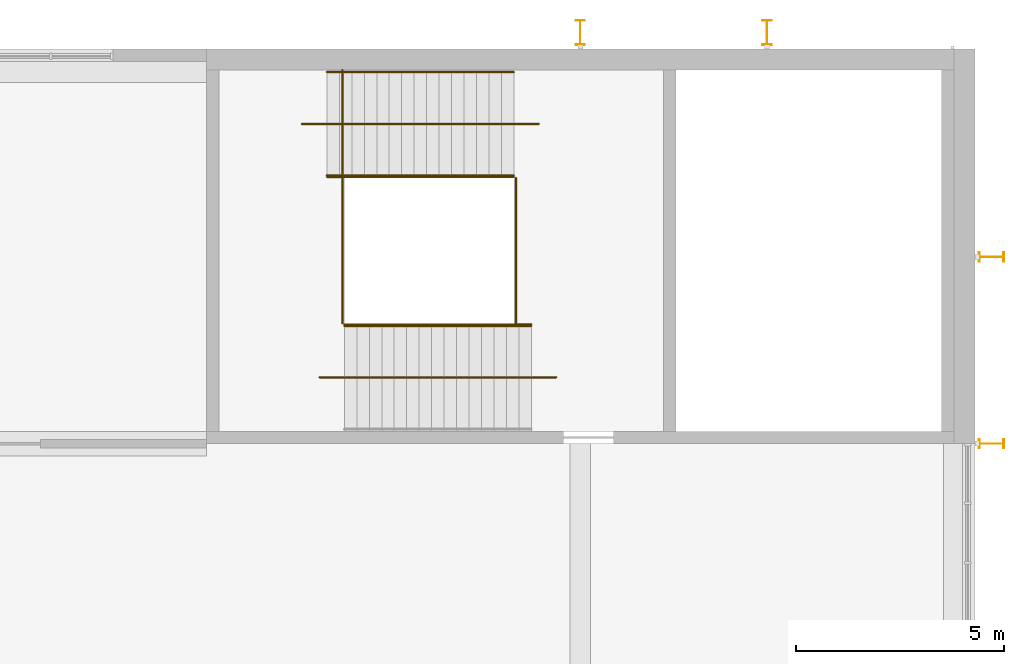
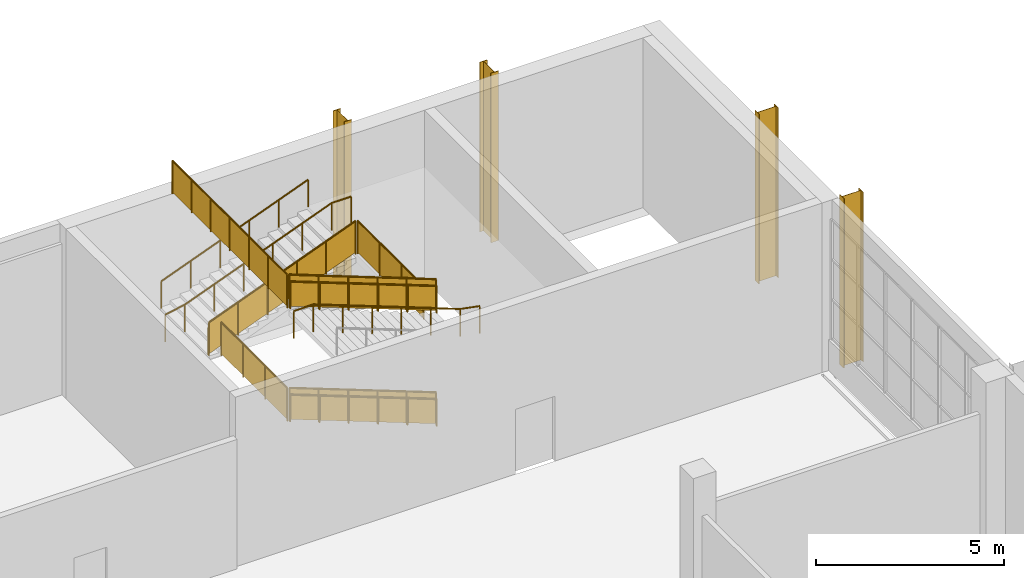
# One storey, part 83 of 84: 12 railings, 4 shading devices.
"""IFC4 building model written with IfcOpenShell, lengths in metres."""

from ifc_helpers import new_model, si_unit, direction, frame, origin, origin_2d, place, context, subcontext, project, spatial, polyline, circle, i_section, outline, extrude, material, material_profile, profile_set, type_object, element, save


model = new_model("IFC4")

# Units and contexts
model_context = context("Model", 3, precision=1e-05, world=origin(), true_north=direction((0.0, 1.0)))
body_context = subcontext(model_context, "Body", "Model", "MODEL_VIEW")
ifc_project = project(units=[si_unit("LENGTHUNIT", "METRE"), si_unit("AREAUNIT", "SQUARE_METRE"), si_unit("VOLUMEUNIT", "CUBIC_METRE"), si_unit("PLANEANGLEUNIT", "RADIAN"), si_unit("MASSUNIT", "GRAM", prefix="KILO")], contexts=[model_context])

# Site, building, storey
site_placement = place(None, origin())
site = spatial("IfcSite", under=ifc_project, at=site_placement, CompositionType="ELEMENT")
building_placement = place(site_placement, origin())
building = spatial("IfcBuilding", under=site, at=building_placement, Name="Silverbay Arena", CompositionType="ELEMENT")
storey_placement = place(building_placement, frame((0.0, 0.0, 28.0)))
storey = spatial("IfcBuildingStorey", under=building, at=storey_placement, Name="L04", CompositionType="ELEMENT", Elevation=28.0)

# Railings
ifc_material_1 = material(Name="Stainless steel", Category="steel")
railing_type_1 = type_object("IfcRailingType", Name="Stair guard 1100", PredefinedType="GUARDRAIL", material=ifc_material_1)
railing_1_placement = place(storey_placement, frame((196.8203125, 137.875, 0.114501953125)))
element("IfcRailing", 1, at=railing_1_placement, inside=storey, type_object=railing_type_1, Name="Stair ST-N6 L04 to L05 flight 1 guard right", PredefinedType="GUARDRAIL", context=body_context, shape_type="SweptSolid", body=[
    extrude(circle(Radius=0.02392578125, at=origin_2d()), frame((0.0, 0.0, 1.076171875), z_axis=(-0.93417907455, 0.0, 0.356804507641), x_axis=(0.0, -1.0, 0.0)), (0.0, 0.0, 1.0), 4.817138671875),
    extrude(outline(polyline([(-0.008056640625, 0.046875), (0.907958984375, 0.396728515625), (0.907958984375, 1.39990234375), (-0.008056640625, 1.050048828125), (-0.008056640625, 0.046875)])), frame((0.0, -0.0029296875, 0.0), z_axis=(0.0, 1.0, 0.0), x_axis=(-1.0, 0.0, 0.0)), (0.0, 0.0, 1.0), 0.006103515625),
    extrude(outline(polyline([(-0.008056640625, 0.390625), (0.907958984375, 0.740478515625), (0.907958984375, 1.74365234375), (-0.008056640625, 1.393798828125), (-0.008056640625, 0.390625)])), frame((-0.89990234375, -0.0029296875, 0.0), z_axis=(0.0, 1.0, 0.0), x_axis=(-1.0, 0.0, 0.0)), (0.0, 0.0, 1.0), 0.006103515625),
    extrude(outline(polyline([(-0.008056640625, 0.734375), (0.907958984375, 1.084228515625), (0.907958984375, 2.08740234375), (-0.008056640625, 1.737548828125), (-0.008056640625, 0.734375)])), frame((-1.800048828125, -0.0029296875, 0.0), z_axis=(0.0, 1.0, 0.0), x_axis=(-1.0, 0.0, 0.0)), (0.0, 0.0, 1.0), 0.006103515625),
    extrude(outline(polyline([(-0.008056640625, 1.078125), (0.907958984375, 1.427978515625), (0.907958984375, 2.43115234375), (-0.008056640625, 2.081298828125), (-0.008056640625, 1.078125)])), frame((-2.699951171875, -0.0029296875, 0.0), z_axis=(0.0, 1.0, 0.0), x_axis=(-1.0, 0.0, 0.0)), (0.0, 0.0, 1.0), 0.006103515625),
    extrude(outline(polyline([(-0.008056640625, 1.421875), (0.907958984375, 1.771728515625), (0.907958984375, 2.77490234375), (-0.008056640625, 2.425048828125), (-0.008056640625, 1.421875)])), frame((-3.60009765625, -0.0029296875, 0.0), z_axis=(0.0, 1.0, 0.0), x_axis=(-1.0, 0.0, 0.0)), (0.0, 0.0, 1.0), 0.006103515625),
    extrude(circle(Radius=0.02099609375, at=origin_2d()), origin(), (0.0, 0.0, 1.0), 1.052001953125),
    extrude(circle(Radius=0.02099609375, at=origin_2d()), frame((-0.89990234375, 0.0, 0.34375)), (0.0, 0.0, 1.0), 1.052001953125),
    extrude(circle(Radius=0.02099609375, at=origin_2d()), frame((-1.800048828125, 0.0, 0.6875)), (0.0, 0.0, 1.0), 1.052001953125),
    extrude(circle(Radius=0.02099609375, at=origin_2d()), frame((-2.699951171875, 0.0, 1.03125)), (0.0, 0.0, 1.0), 1.052001953125),
    extrude(circle(Radius=0.02099609375, at=origin_2d()), frame((-3.60009765625, 0.0, 1.375)), (0.0, 0.0, 1.0), 1.052001953125),
    extrude(circle(Radius=0.02099609375, at=origin_2d()), frame((-4.5, 0.0, 1.71875)), (0.0, 0.0, 1.0), 1.052001953125),
])
railing_2_placement = place(storey_placement, frame((191.89990234375, 141.425048828125, 1.947998046875)))
element("IfcRailing", 2, at=railing_2_placement, inside=storey, type_object=railing_type_1, Name="Stair ST-N6 L04 to L05 flight 2 guard left", PredefinedType="GUARDRAIL", context=body_context, shape_type="SweptSolid", body=[
    extrude(circle(Radius=0.02392578125, at=origin_2d()), frame((0.0, 0.0, 1.076171875), z_axis=(0.93417907455, 0.0, 0.356804507641), x_axis=(0.0, 1.0, 0.0)), (0.0, 0.0, 1.0), 4.817138671875),
    extrude(outline(polyline([(-0.008056640625, 0.046875), (0.907958984375, 0.396728515625), (0.907958984375, 1.39990234375), (-0.008056640625, 1.050048828125), (-0.008056640625, 0.046875)])), frame((0.0, 0.0029296875, 0.0), z_axis=(0.0, -1.0, 0.0), x_axis=(1.0, 0.0, 0.0)), (0.0, 0.0, 1.0), 0.006103515625),
    extrude(outline(polyline([(-0.008056640625, 0.390625), (0.907958984375, 0.740478515625), (0.907958984375, 1.74365234375), (-0.008056640625, 1.393798828125), (-0.008056640625, 0.390625)])), frame((0.89990234375, 0.0029296875, 0.0), z_axis=(0.0, -1.0, 0.0), x_axis=(1.0, 0.0, 0.0)), (0.0, 0.0, 1.0), 0.006103515625),
    extrude(outline(polyline([(-0.008056640625, 0.734375), (0.907958984375, 1.084228515625), (0.907958984375, 2.08740234375), (-0.008056640625, 1.737548828125), (-0.008056640625, 0.734375)])), frame((1.800048828125, 0.0029296875, 0.0), z_axis=(0.0, -1.0, 0.0), x_axis=(1.0, 0.0, 0.0)), (0.0, 0.0, 1.0), 0.006103515625),
    extrude(outline(polyline([(-0.008056640625, 1.078125), (0.907958984375, 1.427978515625), (0.907958984375, 2.43115234375), (-0.008056640625, 2.081298828125), (-0.008056640625, 1.078125)])), frame((2.699951171875, 0.0029296875, 0.0), z_axis=(0.0, -1.0, 0.0), x_axis=(1.0, 0.0, 0.0)), (0.0, 0.0, 1.0), 0.006103515625),
    extrude(outline(polyline([(-0.008056640625, 1.421875), (0.907958984375, 1.771728515625), (0.907958984375, 2.77490234375), (-0.008056640625, 2.425048828125), (-0.008056640625, 1.421875)])), frame((3.60009765625, 0.0029296875, 0.0), z_axis=(0.0, -1.0, 0.0), x_axis=(1.0, 0.0, 0.0)), (0.0, 0.0, 1.0), 0.006103515625),
    extrude(circle(Radius=0.02099609375, at=origin_2d()), origin(), (0.0, 0.0, 1.0), 1.052001953125),
    extrude(circle(Radius=0.02099609375, at=origin_2d()), frame((0.89990234375, 0.0, 0.34375)), (0.0, 0.0, 1.0), 1.052001953125),
    extrude(circle(Radius=0.02099609375, at=origin_2d()), frame((1.800048828125, 0.0, 0.6875)), (0.0, 0.0, 1.0), 1.052001953125),
    extrude(circle(Radius=0.02099609375, at=origin_2d()), frame((2.699951171875, 0.0, 1.03125)), (0.0, 0.0, 1.0), 1.052001953125),
    extrude(circle(Radius=0.02099609375, at=origin_2d()), frame((3.60009765625, 0.0, 1.375)), (0.0, 0.0, 1.0), 1.052001953125),
    extrude(circle(Radius=0.02099609375, at=origin_2d()), frame((4.5, 0.0, 1.71875)), (0.0, 0.0, 1.0), 1.052001953125),
])
railing_3_placement = place(storey_placement, frame((196.8203125, 137.875, 3.78125)))
element("IfcRailing", 3, at=railing_3_placement, inside=storey, type_object=railing_type_1, Name="Stair ST-N6 L04 to L05 flight 3 guard right", PredefinedType="GUARDRAIL", context=body_context, shape_type="SweptSolid", body=[
    extrude(circle(Radius=0.02392578125, at=origin_2d()), frame((0.0, 0.0, 1.076171875), z_axis=(-0.93417907455, 0.0, 0.356804507641), x_axis=(0.0, -1.0, 0.0)), (0.0, 0.0, 1.0), 4.817138671875),
    extrude(outline(polyline([(-0.008056640625, 0.046875), (0.907958984375, 0.396728515625), (0.907958984375, 1.39990234375), (-0.008056640625, 1.050048828125), (-0.008056640625, 0.046875)])), frame((0.0, -0.0029296875, 0.0), z_axis=(0.0, 1.0, 0.0), x_axis=(-1.0, 0.0, 0.0)), (0.0, 0.0, 1.0), 0.006103515625),
    extrude(outline(polyline([(-0.008056640625, 0.390625), (0.907958984375, 0.740478515625), (0.907958984375, 1.74365234375), (-0.008056640625, 1.393798828125), (-0.008056640625, 0.390625)])), frame((-0.89990234375, -0.0029296875, 0.0), z_axis=(0.0, 1.0, 0.0), x_axis=(-1.0, 0.0, 0.0)), (0.0, 0.0, 1.0), 0.006103515625),
    extrude(outline(polyline([(-0.008056640625, 0.734375), (0.907958984375, 1.084228515625), (0.907958984375, 2.08740234375), (-0.008056640625, 1.737548828125), (-0.008056640625, 0.734375)])), frame((-1.800048828125, -0.0029296875, 0.0), z_axis=(0.0, 1.0, 0.0), x_axis=(-1.0, 0.0, 0.0)), (0.0, 0.0, 1.0), 0.006103515625),
    extrude(outline(polyline([(-0.008056640625, 1.078125), (0.907958984375, 1.427978515625), (0.907958984375, 2.43115234375), (-0.008056640625, 2.081298828125), (-0.008056640625, 1.078125)])), frame((-2.699951171875, -0.0029296875, 0.0), z_axis=(0.0, 1.0, 0.0), x_axis=(-1.0, 0.0, 0.0)), (0.0, 0.0, 1.0), 0.006103515625),
    extrude(outline(polyline([(-0.008056640625, 1.421875), (0.907958984375, 1.771728515625), (0.907958984375, 2.77490234375), (-0.008056640625, 2.425048828125), (-0.008056640625, 1.421875)])), frame((-3.60009765625, -0.0029296875, 0.0), z_axis=(0.0, 1.0, 0.0), x_axis=(-1.0, 0.0, 0.0)), (0.0, 0.0, 1.0), 0.006103515625),
    extrude(circle(Radius=0.02099609375, at=origin_2d()), origin(), (0.0, 0.0, 1.0), 1.052001953125),
    extrude(circle(Radius=0.02099609375, at=origin_2d()), frame((-0.89990234375, 0.0, 0.34375)), (0.0, 0.0, 1.0), 1.052001953125),
    extrude(circle(Radius=0.02099609375, at=origin_2d()), frame((-1.800048828125, 0.0, 0.6875)), (0.0, 0.0, 1.0), 1.052001953125),
    extrude(circle(Radius=0.02099609375, at=origin_2d()), frame((-2.699951171875, 0.0, 1.03125)), (0.0, 0.0, 1.0), 1.052001953125),
    extrude(circle(Radius=0.02099609375, at=origin_2d()), frame((-3.60009765625, 0.0, 1.375)), (0.0, 0.0, 1.0), 1.052001953125),
    extrude(circle(Radius=0.02099609375, at=origin_2d()), frame((-4.5, 0.0, 1.71875)), (0.0, 0.0, 1.0), 1.052001953125),
])
for number, where, name in (
    (4, (192.2705078125, 137.89990234375, 1.833251953125), "Stair ST-N6 L04 to L05 landing 1 guard"),
    (5, (196.449951171875, 137.89990234375, 3.666748046875), "Stair ST-N6 L04 to L05 landing 2 guard"),
):
    element("IfcRailing", number, at=place(storey_placement, frame(where)), inside=storey, type_object=railing_type_1, Name=name, PredefinedType="GUARDRAIL", context=body_context, shape_type="SweptSolid", body=[
        extrude(circle(Radius=0.02392578125, at=origin_2d()), frame((0.0, 0.0, 1.076171875), z_axis=(0.0, 1.0, 0.0), x_axis=(-1.0, 0.0, 0.0)), (0.0, 0.0, 1.0), 3.5),
        extrude(outline(polyline([(-0.008056640625, 0.050048828125), (1.174560546875, 0.050048828125), (1.174560546875, 1.052978515625), (-0.008056640625, 1.052978515625), (-0.008056640625, 0.050048828125)])), frame((-0.0029296875, 0.0, 0.0), z_axis=(1.0, 0.0, 0.0), x_axis=(0.0, 1.0, 0.0)), (0.0, 0.0, 1.0), 0.006103515625),
        extrude(outline(polyline([(-0.008056640625, 0.050048828125), (1.174560546875, 0.050048828125), (1.174560546875, 1.052978515625), (-0.008056640625, 1.052978515625), (-0.008056640625, 0.050048828125)])), frame((-0.0029296875, 1.166748046875, 0.0), z_axis=(1.0, 0.0, 0.0), x_axis=(0.0, 1.0, 0.0)), (0.0, 0.0, 1.0), 0.006103515625),
        extrude(outline(polyline([(-0.008056640625, 0.050048828125), (1.174560546875, 0.050048828125), (1.174560546875, 1.052978515625), (-0.008056640625, 1.052978515625), (-0.008056640625, 0.050048828125)])), frame((-0.0029296875, 2.333251953125, 0.0), z_axis=(1.0, 0.0, 0.0), x_axis=(0.0, 1.0, 0.0)), (0.0, 0.0, 1.0), 0.006103515625),
        extrude(circle(Radius=0.02099609375, at=origin_2d()), origin(), (0.0, 0.0, 1.0), 1.052001953125),
        extrude(circle(Radius=0.02099609375, at=origin_2d()), frame((0.0, 1.166748046875, 0.0)), (0.0, 0.0, 1.0), 1.052001953125),
        extrude(circle(Radius=0.02099609375, at=origin_2d()), frame((0.0, 2.333251953125, 0.0)), (0.0, 0.0, 1.0), 1.052001953125),
        extrude(circle(Radius=0.02099609375, at=origin_2d()), frame((0.0, 3.5, 0.0)), (0.0, 0.0, 1.0), 1.052001953125),
    ])
railing_4_placement = place(storey_placement, frame((192.2705078125, 137.89990234375, 5.5)))
element("IfcRailing", 6, at=railing_4_placement, inside=storey, type_object=railing_type_1, Name="Stair ST-N6 L04 to L05 landing 3 guard", PredefinedType="GUARDRAIL", context=body_context, shape_type="SweptSolid", body=[
    extrude(circle(Radius=0.02392578125, at=origin_2d()), frame((0.0, 0.0, 1.076171875), z_axis=(0.0, 1.0, 0.0), x_axis=(-1.0, 0.0, 0.0)), (0.0, 0.0, 1.0), 6.10009765625),
    extrude(outline(polyline([(-0.008056640625, 0.050048828125), (1.024658203125, 0.050048828125), (1.024658203125, 1.052978515625), (-0.008056640625, 1.052978515625), (-0.008056640625, 0.050048828125)])), frame((-0.0029296875, 0.0, 0.0), z_axis=(1.0, 0.0, 0.0), x_axis=(0.0, 1.0, 0.0)), (0.0, 0.0, 1.0), 0.006103515625),
    extrude(outline(polyline([(-0.008056640625, 0.050048828125), (1.024658203125, 0.050048828125), (1.024658203125, 1.052978515625), (-0.008056640625, 1.052978515625), (-0.008056640625, 0.050048828125)])), frame((-0.0029296875, 1.0166015625, 0.0), z_axis=(1.0, 0.0, 0.0), x_axis=(0.0, 1.0, 0.0)), (0.0, 0.0, 1.0), 0.006103515625),
    extrude(outline(polyline([(-0.008056640625, 0.050048828125), (1.024658203125, 0.050048828125), (1.024658203125, 1.052978515625), (-0.008056640625, 1.052978515625), (-0.008056640625, 0.050048828125)])), frame((-0.0029296875, 2.033447265625, 0.0), z_axis=(1.0, 0.0, 0.0), x_axis=(0.0, 1.0, 0.0)), (0.0, 0.0, 1.0), 0.006103515625),
    extrude(outline(polyline([(-0.008056640625, 0.050048828125), (1.024658203125, 0.050048828125), (1.024658203125, 1.052978515625), (-0.008056640625, 1.052978515625), (-0.008056640625, 0.050048828125)])), frame((-0.0029296875, 3.050048828125, 0.0), z_axis=(1.0, 0.0, 0.0), x_axis=(0.0, 1.0, 0.0)), (0.0, 0.0, 1.0), 0.006103515625),
    extrude(outline(polyline([(-0.008056640625, 0.050048828125), (1.024658203125, 0.050048828125), (1.024658203125, 1.052978515625), (-0.008056640625, 1.052978515625), (-0.008056640625, 0.050048828125)])), frame((-0.0029296875, 4.066650390625, 0.0), z_axis=(1.0, 0.0, 0.0), x_axis=(0.0, 1.0, 0.0)), (0.0, 0.0, 1.0), 0.006103515625),
    extrude(outline(polyline([(-0.008056640625, 0.050048828125), (1.024658203125, 0.050048828125), (1.024658203125, 1.052978515625), (-0.008056640625, 1.052978515625), (-0.008056640625, 0.050048828125)])), frame((-0.0029296875, 5.08349609375, 0.0), z_axis=(1.0, 0.0, 0.0), x_axis=(0.0, 1.0, 0.0)), (0.0, 0.0, 1.0), 0.006103515625),
    extrude(circle(Radius=0.02099609375, at=origin_2d()), origin(), (0.0, 0.0, 1.0), 1.052001953125),
    extrude(circle(Radius=0.02099609375, at=origin_2d()), frame((0.0, 1.0166015625, 0.0)), (0.0, 0.0, 1.0), 1.052001953125),
    extrude(circle(Radius=0.02099609375, at=origin_2d()), frame((0.0, 2.033447265625, 0.0)), (0.0, 0.0, 1.0), 1.052001953125),
    extrude(circle(Radius=0.02099609375, at=origin_2d()), frame((0.0, 3.050048828125, 0.0)), (0.0, 0.0, 1.0), 1.052001953125),
    extrude(circle(Radius=0.02099609375, at=origin_2d()), frame((0.0, 4.066650390625, 0.0)), (0.0, 0.0, 1.0), 1.052001953125),
    extrude(circle(Radius=0.02099609375, at=origin_2d()), frame((0.0, 5.08349609375, 0.0)), (0.0, 0.0, 1.0), 1.052001953125),
    extrude(circle(Radius=0.02099609375, at=origin_2d()), frame((0.0, 6.10009765625, 0.0)), (0.0, 0.0, 1.0), 1.052001953125),
])
ifc_material_2 = material(Name="Stainless steel", Category="steel")
railing_type_2 = type_object("IfcRailingType", Name="Stair handrail 900", PredefinedType="HANDRAIL", material=ifc_material_2)
railing_5_placement = place(storey_placement, frame((196.8203125, 137.8359375, 0.114501953125)))
element("IfcRailing", 7, at=railing_5_placement, inside=storey, type_object=railing_type_2, Name="Stair ST-N6 L04 to L05 flight 1 handrail right", PredefinedType="HANDRAIL", context=body_context, shape_type="SweptSolid", body=[
    extrude(circle(Radius=0.02392578125, at=origin_2d()), frame((0.0, 0.0, 0.8759765625), z_axis=(-0.93417907455, 0.0, 0.356804507641), x_axis=(0.0, -1.0, 0.0)), (0.0, 0.0, 1.0), 4.817138671875),
    extrude(circle(Radius=0.02099609375, at=origin_2d()), origin(), (0.0, 0.0, 1.0), 0.851806640625),
    extrude(circle(Radius=0.02099609375, at=origin_2d()), frame((-0.89990234375, 0.0, 0.34375)), (0.0, 0.0, 1.0), 0.851806640625),
    extrude(circle(Radius=0.02099609375, at=origin_2d()), frame((-1.800048828125, 0.0, 0.6875)), (0.0, 0.0, 1.0), 0.851806640625),
    extrude(circle(Radius=0.02099609375, at=origin_2d()), frame((-2.699951171875, 0.0, 1.03125)), (0.0, 0.0, 1.0), 0.851806640625),
    extrude(circle(Radius=0.02099609375, at=origin_2d()), frame((-3.60009765625, 0.0, 1.375)), (0.0, 0.0, 1.0), 0.851806640625),
    extrude(circle(Radius=0.02099609375, at=origin_2d()), frame((-4.5, 0.0, 1.71875)), (0.0, 0.0, 1.0), 0.851806640625),
])
for number, where, name in (
    (8, (191.89990234375, 141.464111328125, 1.947998046875), "Stair ST-N6 L04 to L05 flight 2 handrail left"),
    (9, (191.89990234375, 143.949951171875, 1.947998046875), "Stair ST-N6 L04 to L05 flight 2 handrail right"),
):
    element("IfcRailing", number, at=place(storey_placement, frame(where)), inside=storey, type_object=railing_type_2, Name=name, PredefinedType="HANDRAIL", context=body_context, shape_type="SweptSolid", body=[
        extrude(circle(Radius=0.02392578125, at=origin_2d()), frame((0.0, 0.0, 0.8759765625), z_axis=(0.93417907455, 0.0, 0.356804507641), x_axis=(0.0, 1.0, 0.0)), (0.0, 0.0, 1.0), 4.817138671875),
        extrude(circle(Radius=0.02099609375, at=origin_2d()), origin(), (0.0, 0.0, 1.0), 0.851806640625),
        extrude(circle(Radius=0.02099609375, at=origin_2d()), frame((0.89990234375, 0.0, 0.34375)), (0.0, 0.0, 1.0), 0.851806640625),
        extrude(circle(Radius=0.02099609375, at=origin_2d()), frame((1.800048828125, 0.0, 0.6875)), (0.0, 0.0, 1.0), 0.851806640625),
        extrude(circle(Radius=0.02099609375, at=origin_2d()), frame((2.699951171875, 0.0, 1.03125)), (0.0, 0.0, 1.0), 0.851806640625),
        extrude(circle(Radius=0.02099609375, at=origin_2d()), frame((3.60009765625, 0.0, 1.375)), (0.0, 0.0, 1.0), 0.851806640625),
        extrude(circle(Radius=0.02099609375, at=origin_2d()), frame((4.5, 0.0, 1.71875)), (0.0, 0.0, 1.0), 0.851806640625),
    ])
railing_6_placement = place(storey_placement, frame((191.300048828125, 142.699951171875, 1.833251953125)))
element("IfcRailing", 10, at=railing_6_placement, inside=storey, type_object=railing_type_2, Name="Stair ST-N6 L04 to L05 flight 2 central handrail", PredefinedType="HANDRAIL", context=body_context, shape_type="SweptSolid", body=[
    extrude(circle(Radius=0.02392578125, at=origin_2d()), frame((0.0, 0.0, 0.8759765625), z_axis=(0.982191308576, 0.0, 0.187883563301), x_axis=(0.0, 1.0, 0.0)), (0.0, 0.0, 1.0), 0.61083984375),
    extrude(circle(Radius=0.02392578125, at=origin_2d()), frame((0.599853515625, 0.0, 0.99072265625), z_axis=(0.93417907455, 0.0, 0.356804507641), x_axis=(0.0, 1.0, 0.0)), (0.0, 0.0, 1.0), 4.817138671875),
    extrude(circle(Radius=0.02392578125, at=origin_2d()), frame((5.099853515625, 0.0, 2.70947265625), z_axis=(1.0, 0.0, 0.0), x_axis=(0.0, 1.0, 0.0)), (0.0, 0.0, 1.0), 0.60009765625),
    extrude(circle(Radius=0.02099609375, at=origin_2d()), origin(), (0.0, 0.0, 1.0), 0.851806640625),
    extrude(circle(Radius=0.02099609375, at=origin_2d()), frame((0.599853515625, 0.0, 0.11474609375)), (0.0, 0.0, 1.0), 0.851806640625),
    extrude(circle(Radius=0.02099609375, at=origin_2d()), frame((1.499755859375, 0.0, 0.45849609375)), (0.0, 0.0, 1.0), 0.851806640625),
    extrude(circle(Radius=0.02099609375, at=origin_2d()), frame((2.39990234375, 0.0, 0.80224609375)), (0.0, 0.0, 1.0), 0.851806640625),
    extrude(circle(Radius=0.02099609375, at=origin_2d()), frame((3.2998046875, 0.0, 1.14599609375)), (0.0, 0.0, 1.0), 0.851806640625),
    extrude(circle(Radius=0.02099609375, at=origin_2d()), frame((4.199951171875, 0.0, 1.48974609375)), (0.0, 0.0, 1.0), 0.851806640625),
    extrude(circle(Radius=0.02099609375, at=origin_2d()), frame((5.099853515625, 0.0, 1.83349609375)), (0.0, 0.0, 1.0), 0.851806640625),
    extrude(circle(Radius=0.02099609375, at=origin_2d()), frame((5.699951171875, 0.0, 1.83349609375)), (0.0, 0.0, 1.0), 0.851806640625),
])
railing_7_placement = place(storey_placement, frame((196.8203125, 137.8359375, 3.78125)))
element("IfcRailing", 11, at=railing_7_placement, inside=storey, type_object=railing_type_2, Name="Stair ST-N6 L04 to L05 flight 3 handrail right", PredefinedType="HANDRAIL", context=body_context, shape_type="SweptSolid", body=[
    extrude(circle(Radius=0.02392578125, at=origin_2d()), frame((0.0, 0.0, 0.8759765625), z_axis=(-0.93417907455, 0.0, 0.356804507641), x_axis=(0.0, -1.0, 0.0)), (0.0, 0.0, 1.0), 4.817138671875),
    extrude(circle(Radius=0.02099609375, at=origin_2d()), origin(), (0.0, 0.0, 1.0), 0.851806640625),
    extrude(circle(Radius=0.02099609375, at=origin_2d()), frame((-0.89990234375, 0.0, 0.34375)), (0.0, 0.0, 1.0), 0.851806640625),
    extrude(circle(Radius=0.02099609375, at=origin_2d()), frame((-1.800048828125, 0.0, 0.6875)), (0.0, 0.0, 1.0), 0.851806640625),
    extrude(circle(Radius=0.02099609375, at=origin_2d()), frame((-2.699951171875, 0.0, 1.03125)), (0.0, 0.0, 1.0), 0.851806640625),
    extrude(circle(Radius=0.02099609375, at=origin_2d()), frame((-3.60009765625, 0.0, 1.375)), (0.0, 0.0, 1.0), 0.851806640625),
    extrude(circle(Radius=0.02099609375, at=origin_2d()), frame((-4.5, 0.0, 1.71875)), (0.0, 0.0, 1.0), 0.851806640625),
])
railing_8_placement = place(storey_placement, frame((197.42041015625, 136.60009765625, 3.666748046875)))
element("IfcRailing", 12, at=railing_8_placement, inside=storey, type_object=railing_type_2, Name="Stair ST-N6 L04 to L05 flight 3 central handrail", PredefinedType="HANDRAIL", context=body_context, shape_type="SweptSolid", body=[
    extrude(circle(Radius=0.02392578125, at=origin_2d()), frame((0.0, 0.0, 0.8759765625), z_axis=(-0.982279053969, 0.0, 0.187424278402), x_axis=(0.0, -1.0, 0.0)), (0.0, 0.0, 1.0), 0.61083984375),
    extrude(circle(Radius=0.02392578125, at=origin_2d()), frame((-0.60009765625, 0.0, 0.990234375), z_axis=(-0.93417907455, 0.0, 0.356804507641), x_axis=(0.0, -1.0, 0.0)), (0.0, 0.0, 1.0), 4.817138671875),
    extrude(circle(Radius=0.02392578125, at=origin_2d()), frame((-5.10009765625, 0.0, 2.708984375), z_axis=(-1.0, 0.0, 0.0), x_axis=(0.0, -1.0, 0.0)), (0.0, 0.0, 1.0), 0.599853515625),
    extrude(circle(Radius=0.02099609375, at=origin_2d()), origin(), (0.0, 0.0, 1.0), 0.851806640625),
    extrude(circle(Radius=0.02099609375, at=origin_2d()), frame((-0.60009765625, 0.0, 0.114501953125)), (0.0, 0.0, 1.0), 0.851806640625),
    extrude(circle(Radius=0.02099609375, at=origin_2d()), frame((-1.5, 0.0, 0.458251953125)), (0.0, 0.0, 1.0), 0.851806640625),
    extrude(circle(Radius=0.02099609375, at=origin_2d()), frame((-2.400146484375, 0.0, 0.802001953125)), (0.0, 0.0, 1.0), 0.851806640625),
    extrude(circle(Radius=0.02099609375, at=origin_2d()), frame((-3.300048828125, 0.0, 1.145751953125)), (0.0, 0.0, 1.0), 0.851806640625),
    extrude(circle(Radius=0.02099609375, at=origin_2d()), frame((-4.2001953125, 0.0, 1.489501953125)), (0.0, 0.0, 1.0), 0.851806640625),
    extrude(circle(Radius=0.02099609375, at=origin_2d()), frame((-5.10009765625, 0.0, 1.833251953125)), (0.0, 0.0, 1.0), 0.851806640625),
    extrude(circle(Radius=0.02099609375, at=origin_2d()), frame((-5.699951171875, 0.0, 1.833251953125)), (0.0, 0.0, 1.0), 0.851806640625),
])

# Shading devices
ifc_material_3 = material(Name="Steel S355", Category="steel")
ifc_material_profile = material_profile(ifc_material_3, i_section(OverallWidth=0.2275390625, OverallDepth=0.6025390625, WebThickness=0.010498046875, FlangeThickness=0.014892578125, at=origin_2d()), Name="UB 610x229x101")
ifc_profile_set = profile_set([ifc_material_profile], Name="Steel S355")
shading_device_type = type_object("IfcShadingDeviceType", Name="Steel fin UB 610x229x101", PredefinedType="USERDEFINED", material=ifc_profile_set)
for number, where, z_axis, x_axis, name in (
    (13, (207.9013671875, 135.0, 0.0), (0.0, 0.0, 1.0), (0.0, 1.0, 0.0), "Steel fin E L04 26"),
    (14, (207.9013671875, 139.5, 0.0), (0.0, 0.0, 1.0), (0.0, 1.0, 0.0), "Steel fin E L04 27"),
    (15, (198.0, 144.9013671875, 0.0), (0.0, 0.0, 1.0), (1.0, 0.0, 0.0), "Steel fin N L04 32"),
    (16, (202.5, 144.9013671875, 0.0), (0.0, 0.0, 1.0), (1.0, 0.0, 0.0), "Steel fin N L04 33"),
):
    element("IfcShadingDevice", number, at=place(storey_placement, frame(where, z_axis=z_axis, x_axis=x_axis)), inside=storey, type_object=shading_device_type, Name=name, ObjectType="FIN", PredefinedType="USERDEFINED", context=body_context, shape_type="SweptSolid", body=[
        extrude(i_section(OverallWidth=0.2275390625, OverallDepth=0.6025390625, WebThickness=0.010498046875, FlangeThickness=0.014892578125, at=origin_2d()), origin(), (0.0, 0.0, 1.0), 5.5),
    ])

save(model, "model.ifc")
